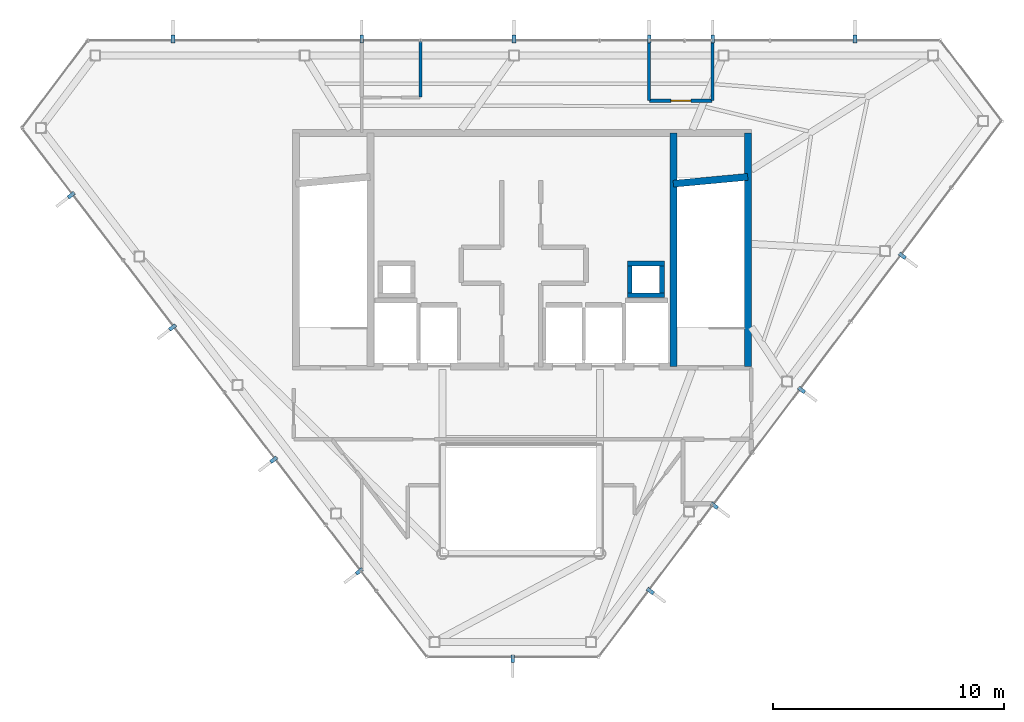
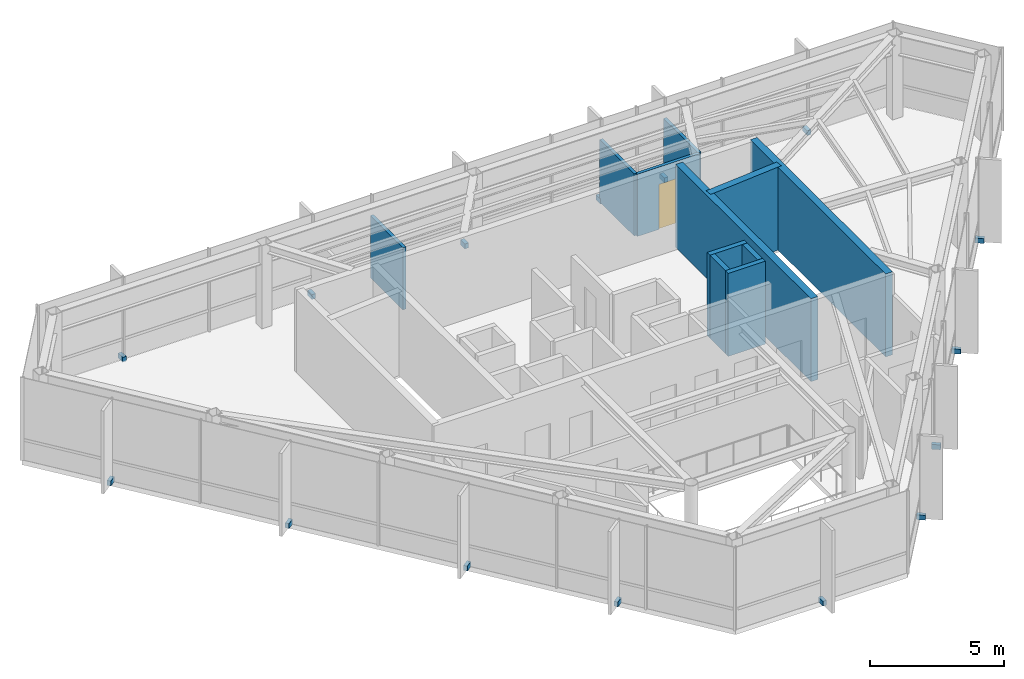
# One storey, part 20 of 21: 15 discrete accessories, 11 walls, 1 door, 1 opening.
"""IFC4 building model written with IfcOpenShell, lengths in metres."""

from ifc_helpers import new_model, si_unit, direction, frame, frame_2d, origin, origin_2d, place, context, subcontext, project, spatial, rectangle, extrude, material, layer, layer_set, type_object, element, fill, save


model = new_model("IFC4")

# Units and contexts
model_context = context("Model", 3, precision=1e-05, world=origin(), true_north=direction((0.0, 1.0)))
body_context = subcontext(model_context, "Body", "Model", "MODEL_VIEW")
ifc_project = project(units=[si_unit("LENGTHUNIT", "METRE"), si_unit("AREAUNIT", "SQUARE_METRE"), si_unit("VOLUMEUNIT", "CUBIC_METRE"), si_unit("PLANEANGLEUNIT", "RADIAN"), si_unit("MASSUNIT", "GRAM", prefix="KILO")], contexts=[model_context])

# Site, building, storey
site_placement = place(None, origin())
site = spatial("IfcSite", under=ifc_project, at=site_placement, CompositionType="ELEMENT")
building_placement = place(site_placement, origin())
building = spatial("IfcBuilding", under=site, at=building_placement, Name="Zarrinselat Tower", CompositionType="ELEMENT")
storey_placement = place(building_placement, frame((0.0, 0.0, 299.199951171875)))
storey = spatial("IfcBuildingStorey", under=building, at=storey_placement, Name="L77", CompositionType="ELEMENT", Elevation=299.199951171875)

# Wall
ifc_material_1 = material(Name="Fire-Rated Gypsum Board Partition", Category="gypsum")
ifc_layer_1 = layer(ifc_material_1, 0.135009765625)
ifc_layer_set_1 = layer_set([ifc_layer_1], Name="Fire-Rated Gypsum Board Partition")
wall_type_1 = type_object("IfcWallType", Name="WAL-PART-WET", PredefinedType="PARTITIONING", material=ifc_layer_set_1)
wall_1_placement = place(storey_placement, frame((43.93212890625, 44.81005859375, 0.0), z_axis=(0.0, 0.0, 1.0), x_axis=(0.0, 1.0, 0.0)))
element("IfcWall", 1, at=wall_1_placement, inside=storey, type_object=wall_type_1, Name="L77 Partition Wall 29", PredefinedType="PARTITIONING", context=body_context, shape_type="SweptSolid", body=[
    extrude(rectangle(XDim=2.574951171875, YDim=0.135009765625, at=frame_2d((1.28759765625, 0.0))), origin(), (0.0, 0.0, 1.0), 2.8349609375),
])

# Wall, opening, door
wall_2_placement = place(storey_placement, frame((43.9521484375, 44.7900390625, 0.0), z_axis=(0.0, 0.0, 1.0), x_axis=(1.0, 0.0, 0.0)))
wall_2 = element("IfcWall", 2, at=wall_2_placement, inside=storey, type_object=wall_type_1, Name="L77 Partition Wall 30", PredefinedType="PARTITIONING", context=body_context, shape_type="SweptSolid", body=[
    extrude(rectangle(XDim=2.7099609375, YDim=0.135009765625, at=frame_2d((1.35498046875, 0.0))), origin(), (0.0, 0.0, 1.0), 2.8349609375),
])
opening_placement = place(wall_2_placement, frame((0.925048828125, 0.0, 0.0)))
opening = element("IfcOpeningElement", 3, at=opening_placement, cuts=wall_2, Name="Opening ID-06", PredefinedType="OPENING", context=body_context, shape_type="SweptSolid", body=[
    extrude(rectangle(XDim=0.860107421875, YDim=2.050048828125, at=frame_2d((0.43017578125, 1.02490234375))), frame((0.0, 0.077392578125, 0.0), z_axis=(0.0, -1.0, 0.0), x_axis=(1.0, 0.0, 0.0)), (0.0, 0.0, 1.0), 0.155029296875),
])
ifc_material_2 = material(Name="Extruded Aluminium Alloy EN AW-6063 T6", Category="aluminium")
door_type = type_object("IfcDoorType", Name="DR-INT-WET-900", OperationType="NOTDEFINED", PredefinedType="DOOR", material=ifc_material_2)
door_placement = place(opening_placement, origin())
door = element("IfcDoor", 4, at=door_placement, inside=storey, type_object=door_type, Name="L77 Interior Door P30", OperationType="SINGLE_SWING_RIGHT", OverallHeight=2.050048828125, OverallWidth=0.860107421875, PredefinedType="DOOR", context=body_context, shape_type="SweptSolid", body=[
    extrude(rectangle(XDim=0.860107421875, YDim=2.050048828125, at=frame_2d((0.43017578125, 1.02490234375))), frame((0.0, 0.02490234375, 0.0), z_axis=(0.0, -1.0, 0.0), x_axis=(1.0, 0.0, 0.0)), (0.0, 0.0, 1.0), 0.050048828125),
])
fill(opening, door)

# Walls
wall_3_placement = place(storey_placement, frame((46.68212890625, 44.81005859375, 0.0), z_axis=(0.0, 0.0, 1.0), x_axis=(0.0, 1.0, 0.0)))
element("IfcWall", 5, at=wall_3_placement, inside=storey, type_object=wall_type_1, Name="L77 Partition Wall 31", PredefinedType="PARTITIONING", context=body_context, shape_type="SweptSolid", body=[
    extrude(rectangle(XDim=2.574951171875, YDim=0.135009765625, at=frame_2d((1.28759765625, 0.0))), origin(), (0.0, 0.0, 1.0), 2.8349609375),
])
wall_4_placement = place(storey_placement, frame((34.050048828125, 44.9599609375, 0.0), z_axis=(0.0, 0.0, 1.0), x_axis=(0.0, 1.0, 0.0)))
element("IfcWall", 6, at=wall_4_placement, inside=storey, type_object=wall_type_1, Name="L77 Partition Wall 33", PredefinedType="PARTITIONING", context=body_context, shape_type="SweptSolid", body=[
    extrude(rectangle(XDim=2.425048828125, YDim=0.135009765625, at=frame_2d((1.21240234375, 0.0))), origin(), (0.0, 0.0, 1.0), 2.8349609375),
])
ifc_material_3 = material(Name="Concrete C40/50", Category="concrete")
ifc_layer_2 = layer(ifc_material_3, 0.2099609375)
ifc_layer_set_2 = layer_set([ifc_layer_2], Name="Concrete C40/50")
wall_type_2 = type_object("IfcWallType", Name="WAL-SHAFT-210", PredefinedType="SOLIDWALL", material=ifc_layer_set_2)
for number, where, z_axis, x_axis, name in (
    (7, (42.989990234375, 36.375, 0.0), (0.0, 0.0, 1.0), (1.0, 0.0, 0.0), "L77 Core Riser RSR-E S Shaft Wall"),
    (8, (42.989990234375, 37.7451171875, 0.0), (0.0, 0.0, 1.0), (1.0, 0.0, 0.0), "L77 Core Riser RSR-E N Shaft Wall"),
):
    element("IfcWall", number, at=place(storey_placement, frame(where, z_axis=z_axis, x_axis=x_axis)), inside=storey, type_object=wall_type_2, Name=name, PredefinedType="SOLIDWALL", context=body_context, shape_type="SweptSolid", body=[
        extrude(rectangle(XDim=1.60009765625, YDim=0.2099609375, at=frame_2d((0.800048828125, 0.0))), origin(), (0.0, 0.0, 1.0), 3.780029296875),
    ])
for number, where, z_axis, x_axis, name in (
    (9, (43.094970703125, 36.485107421875, 0.0), (0.0, 0.0, 1.0), (0.0, 1.0, 0.0), "L77 Core Riser RSR-E W Shaft Wall"),
    (10, (44.485107421875, 36.485107421875, 0.0), (0.0, 0.0, 1.0), (0.0, 1.0, 0.0), "L77 Core Riser RSR-E E Shaft Wall"),
):
    element("IfcWall", number, at=place(storey_placement, frame(where, z_axis=z_axis, x_axis=x_axis)), inside=storey, type_object=wall_type_2, Name=name, PredefinedType="SOLIDWALL", context=body_context, shape_type="SweptSolid", body=[
        extrude(rectangle(XDim=1.14990234375, YDim=0.2099609375, at=frame_2d((0.574951171875, 0.0))), origin(), (0.0, 0.0, 1.0), 3.780029296875),
    ])
ifc_material_4 = material(Name="Concrete C40/50", Category="concrete")
ifc_layer_3 = layer(ifc_material_4, 0.300048828125)
ifc_layer_set_3 = layer_set([ifc_layer_3], Name="Concrete C40/50")
wall_type_3 = type_object("IfcWallType", Name="WAL-SHEAR-300", PredefinedType="SHEAR", material=ifc_layer_set_3)
for number, where, z_axis, x_axis, name in (
    (11, (44.989990234375, 33.300048828125, 0.0), (0.0, 0.0, 1.0), (0.0, 1.0, 0.0), "L77 Core Shear Wall ST2W"),
    (12, (48.2099609375, 33.300048828125, 0.0), (0.0, 0.0, 1.0), (0.0, 1.0, 0.0), "L77 Core Shear Wall E"),
):
    element("IfcWall", number, at=place(storey_placement, frame(where, z_axis=z_axis, x_axis=x_axis)), inside=storey, type_object=wall_type_3, Name=name, PredefinedType="SHEAR", context=body_context, shape_type="SweptSolid", body=[
        extrude(rectangle(XDim=10.099853515625, YDim=0.300048828125, at=frame_2d((5.0498046875, 0.0))), origin(), (0.0, 0.0, 1.0), 3.780029296875),
    ])
wall_5_placement = place(storey_placement, frame((44.97998046875, 41.199951171875, 0.0), z_axis=(0.0, 0.0, 1.0), x_axis=(0.995686468965, 0.09278176286, 0.0)))
element("IfcWall", 13, at=wall_5_placement, inside=storey, type_object=wall_type_3, Name="L77 Stair 2 North Shaft Wall", PredefinedType="SHEAR", context=body_context, shape_type="SweptSolid", body=[
    extrude(rectangle(XDim=3.23388671875, YDim=0.300048828125, at=frame_2d((1.616943359375, 0.0))), origin(), (0.0, 0.0, 1.0), 3.780029296875),
])

# Discrete accessories
ifc_material_5 = material(Name="Steel S355J2", Category="steel")
discrete_accessory_type = type_object("IfcDiscreteAccessoryType", Name="ACC-FIN-BRACKET", PredefinedType="BRACKET", material=ifc_material_5)
for number, where, z_axis, x_axis, name in (
    (14, (52.8427734375, 47.469970703125, -0.0498046875), (0.0, 0.0, 1.0), (0.0, 1.0, 0.0), "L77 Fin Fixing Bracket CW-L77-E01-01"),
    (15, (46.68212890625, 47.469970703125, -0.0498046875), (0.0, 0.0, 1.0), (0.0, 1.0, 0.0), "L77 Fin Fixing Bracket CW-L77-E01-03"),
    (16, (43.93212890625, 47.469970703125, -0.0498046875), (0.0, 0.0, 1.0), (0.0, 1.0, 0.0), "L77 Fin Fixing Bracket CW-L77-E01-05"),
    (17, (38.089599609375, 47.469970703125, -0.0498046875), (0.0, 0.0, 1.0), (0.0, 1.0, 0.0), "L77 Fin Fixing Bracket CW-L77-E01-07"),
    (18, (31.5, 47.469970703125, -0.0498046875), (0.0, 0.0, 1.0), (0.0, 1.0, 0.0), "L77 Fin Fixing Bracket CW-L77-E01-09"),
    (19, (23.336181640625, 47.469970703125, -0.0498046875), (0.0, 0.0, 1.0), (0.0, 1.0, 0.0), "L77 Fin Fixing Bracket CW-L77-E01-11"),
    (20, (18.935302734375, 40.7080078125, -0.0498046875), (0.0, 0.0, 1.0), (-0.794014842572, -0.607898371255, 0.0), "L77 Fin Fixing Bracket CW-L77-E03-01"),
    (21, (23.31591796875, 34.98583984375, -0.0498046875), (0.0, 0.0, 1.0), (-0.794014842572, -0.607898371255, 0.0), "L77 Fin Fixing Bracket CW-L77-E03-03"),
    (22, (27.697021484375, 29.263916015625, -0.0498046875), (0.0, 0.0, 1.0), (-0.794014842572, -0.607898371255, 0.0), "L77 Fin Fixing Bracket CW-L77-E03-05"),
    (23, (31.396728515625, 24.43115234375, -0.0498046875), (0.0, 0.0, 1.0), (-0.794014842572, -0.607898371255, 0.0), "L77 Fin Fixing Bracket CW-L77-E03-07"),
    (24, (38.035888671875, 20.6533203125, -0.0498046875), (0.0, 0.0, 1.0), (0.0, -1.0, 0.0), "L77 Fin Fixing Bracket CW-L77-E04-01"),
    (25, (43.984375, 23.581787109375, -0.0498046875), (0.0, 0.0, 1.0), (0.799362925522, -0.600848494465, 0.0), "L77 Fin Fixing Bracket CW-L77-E05-01"),
    (26, (46.758056640625, 27.27197265625, -0.0498046875), (0.0, 0.0, 1.0), (0.799362925522, -0.600848494465, 0.0), "L77 Fin Fixing Bracket CW-L77-E05-03"),
    (27, (50.52490234375, 32.283203125, -0.0498046875), (0.0, 0.0, 1.0), (0.799362925522, -0.600848494465, 0.0), "L77 Fin Fixing Bracket CW-L77-E05-05"),
    (28, (54.88525390625, 38.084228515625, -0.0498046875), (0.0, 0.0, 1.0), (0.799362925522, -0.600848494465, 0.0), "L77 Fin Fixing Bracket CW-L77-E05-07"),
):
    element("IfcDiscreteAccessory", number, at=place(storey_placement, frame(where, z_axis=z_axis, x_axis=x_axis)), inside=storey, type_object=discrete_accessory_type, Name=name, PredefinedType="BRACKET", context=body_context, shape_type="SweptSolid", body=[
        extrude(rectangle(XDim=0.340087890625, YDim=0.159912109375, at=origin_2d()), origin(), (0.0, 0.0, 1.0), 0.219970703125),
    ])

save(model, "model.ifc")
